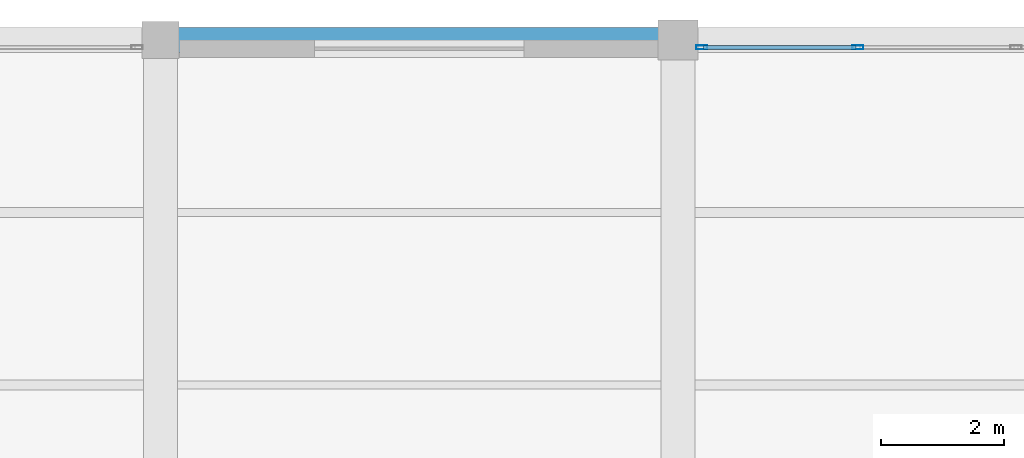
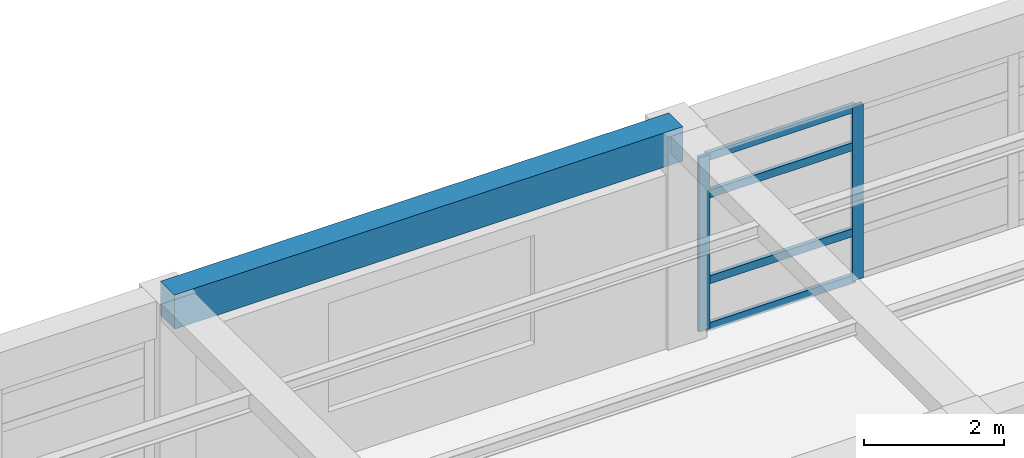
# One storey, part 20 of 26: 6 members, 1 beam, 1 element without a shape of its own.
"""IFC4 building model written with IfcOpenShell, lengths in metres."""

import ifcopenshell
import ifcopenshell.guid

model = None  # the IFC model being written
_history = None  # IfcOwnerHistory: only IFC2X3 demands one
_inside = {}  # id of a spatial element -> (the spatial element, [elements in it])
_under = {}  # id of a project, library or spatial element -> (it, [spatial elements below it])
_declared = {}  # id of a project -> (the project, [libraries it declares])
_typed = {}  # id of a type object -> (the type object, [elements of that type])
_made_of = {}  # id of a material, layer set ... -> (it, [elements and type objects made of it])


def new_model(schema):
    """Start an empty IFC model of exactly this schema.

    Asked for "IFC4X3", IfcOpenShell would pick the latest addendum, in which some entities
    have other attributes; the version numbers below select the first issue.
    IFC2X3 requires an IfcOwnerHistory on every rooted entity: one is made here for all.
    """
    global model, _history
    if schema == "IFC4X3":
        model = ifcopenshell.file(schema_version=(4, 3, 0, 0))
    else:
        model = ifcopenshell.file(schema=schema)
    _inside.clear()
    _under.clear()
    _declared.clear()
    _typed.clear()
    _made_of.clear()
    _history = None
    if model.schema == "IFC2X3":
        org = make("IfcOrganization", Name="unknown")
        user = make(
            "IfcPersonAndOrganization",
            ThePerson=make("IfcPerson", FamilyName="unknown"),
            TheOrganization=org,
        )
        app = make(
            "IfcApplication",
            ApplicationDeveloper=org,
            Version="unknown",
            ApplicationFullName="unknown",
            ApplicationIdentifier="unknown",
        )
        _history = make(
            "IfcOwnerHistory",
            OwningUser=user,
            OwningApplication=app,
            ChangeAction="ADDED",
            CreationDate=0,
        )
    return model


def make(cls, **values):
    """One entity of the class cls with the attributes given. An attribute that is None is left unset."""
    return model.create_entity(
        cls, **{name: value for name, value in values.items() if value is not None}
    )


def rooted(cls, **values):
    """An entity with a GlobalId (a new one), such as an element, a storey or a relation."""
    return make(cls, GlobalId=ifcopenshell.guid.new(), OwnerHistory=_history, **values)


def si_unit(unit_type, name, prefix=None):
    """IfcSIUnit, for example si_unit("LENGTHUNIT", "METRE", prefix="MILLI")."""
    return make("IfcSIUnit", UnitType=unit_type, Prefix=prefix, Name=name)


def assignment(units):
    """IfcUnitAssignment: the units of a project."""
    return None if units is None else make("IfcUnitAssignment", Units=units)


def point(xyz):
    """IfcCartesianPoint."""
    return None if xyz is None else make("IfcCartesianPoint", Coordinates=xyz)


def direction(xyz):
    """IfcDirection."""
    return None if xyz is None else make("IfcDirection", DirectionRatios=xyz)


def frame(location, z_axis=None, x_axis=None):
    """IfcAxis2Placement3D, a coordinate frame: its origin and axes. An axis left out is left unset."""
    return make(
        "IfcAxis2Placement3D",
        Location=point(location),
        Axis=direction(z_axis),
        RefDirection=direction(x_axis),
    )


def frame_2d(location, x_axis=None):
    """IfcAxis2Placement2D, a coordinate frame in the plane: its origin and x axis."""
    return make(
        "IfcAxis2Placement2D", Location=point(location), RefDirection=direction(x_axis)
    )


def origin():
    """The frame at (0, 0, 0) with its axes left unset."""
    return frame((0.0, 0.0, 0.0))


def origin_2d():
    """The frame at (0, 0) in the plane with its x axis left unset."""
    return frame_2d((0.0, 0.0))


def place(relative_to, where):
    """IfcLocalPlacement: puts the frame where relative to a parent placement (None: the world)."""
    return make(
        "IfcLocalPlacement", PlacementRelTo=relative_to, RelativePlacement=where
    )


def context(
    kind, dimensions, precision=None, world=None, true_north=None, identifier=None
):
    """IfcGeometricRepresentationContext, for example the 3D "Model" context."""
    return make(
        "IfcGeometricRepresentationContext",
        ContextIdentifier=identifier,
        ContextType=kind,
        CoordinateSpaceDimension=dimensions,
        Precision=precision,
        WorldCoordinateSystem=world,
        TrueNorth=true_north,
    )


def subcontext(parent, identifier, kind, view, scale=None):
    """IfcGeometricRepresentationSubContext, for example "Body" below "Model"."""
    return make(
        "IfcGeometricRepresentationSubContext",
        ContextIdentifier=identifier,
        ContextType=kind,
        ParentContext=parent,
        TargetScale=scale,
        TargetView=view,
    )


def project(units=None, contexts=None):
    """IfcProject with its units and contexts."""
    return rooted(
        "IfcProject",
        Name="project",
        RepresentationContexts=contexts,
        UnitsInContext=assignment(units),
    )


def spatial(cls, under=None, at=None, **own):
    """A site, building, storey or space (cls), placed at a placement, below another one or the project."""
    s = rooted(cls, ObjectPlacement=at, **own)
    if under is not None:
        _under.setdefault(under.id(), (under, []))[1].append(s)
    return s


def profile(cls, at=None, kind="AREA", **sizes):
    """A parametric profile (cls). Its sizes go by their IFC names, for example OverallWidth=200.0."""
    return make(cls, ProfileType=kind, Position=at, **sizes)


def rectangle(**sizes):
    """IfcRectangleProfileDef."""
    return profile("IfcRectangleProfileDef", **sizes)


def hollow_rectangle(**sizes):
    """IfcRectangleHollowProfileDef."""
    return profile("IfcRectangleHollowProfileDef", **sizes)


def extrude(swept, where, along, depth):
    """IfcExtrudedAreaSolid: the profile swept, set in the frame where, extruded along a direction by depth."""
    return make(
        "IfcExtrudedAreaSolid",
        SweptArea=swept,
        Position=where,
        ExtrudedDirection=direction(along),
        Depth=depth,
    )


def shape(context_of_items, identifier, shape_type, items):
    """IfcShapeRepresentation: the items that make up one representation, for example the "Body"."""
    return make(
        "IfcShapeRepresentation",
        ContextOfItems=context_of_items,
        RepresentationIdentifier=identifier,
        RepresentationType=shape_type,
        Items=items,
    )


def material(Name=None, Category=None):
    """IfcMaterial."""
    return make("IfcMaterial", Name=Name, Category=Category)


def material_profile(
    of_material, cross_section, Name=None, Category=None, Priority=None
):
    """IfcMaterialProfile: a cross section and its material."""
    return make(
        "IfcMaterialProfile",
        Name=Name,
        Material=of_material,
        Profile=cross_section,
        Priority=Priority,
        Category=Category,
    )


def profile_set(profiles, Name=None, composite=None):
    """IfcMaterialProfileSet."""
    return make(
        "IfcMaterialProfileSet",
        Name=Name,
        MaterialProfiles=profiles,
        CompositeProfile=composite,
    )


def made_of(thing, what):
    """Note that an element or type object is made of a material, layer set ...; save() writes the relation."""
    if what is not None:
        _made_of.setdefault(what.id(), (what, []))[1].append(thing)
    return thing


def type_object(cls, material=None, **own):
    """A type object (cls), such as IfcWallType, which elements share."""
    return made_of(rooted(cls, **own), material)


def element(
    cls,
    number,
    at=None,
    inside=None,
    cuts=None,
    type_object=None,
    material=None,
    context=None,
    identifier="Body",
    shape_type=None,
    held_by="IfcProductDefinitionShape",
    body=None,
    shapes=None,
    **own,
):
    """One element of the class cls, such as IfcWall. Its Tag is "e" and its number.

    at: its placement. inside: the storey or other place that contains it. cuts: it is an
    opening in that element (IfcRelVoidsElement). A single representation is given by context,
    identifier, shape_type and body (its items); several are given by shapes. held_by: the class
    of the entity that holds the representations. save() writes the other relations.
    """
    e = rooted(cls, Tag="e%d" % number, ObjectPlacement=at, **own)
    if body is not None:
        shapes = [shape(context, identifier, shape_type, body)]
    if shapes is not None:
        e.Representation = make(held_by, Representations=shapes)
    if inside is not None:
        _inside.setdefault(inside.id(), (inside, []))[1].append(e)
    if cuts is not None:
        rooted(
            "IfcRelVoidsElement", RelatingBuildingElement=cuts, RelatedOpeningElement=e
        )
    if type_object is not None:
        _typed.setdefault(type_object.id(), (type_object, []))[1].append(e)
    return made_of(e, material)


def aggregate(whole, parts):
    """IfcRelAggregates: a whole, such as a stair, and the parts it consists of."""
    return rooted("IfcRelAggregates", RelatingObject=whole, RelatedObjects=parts)


def save(model, path):
    """Write the relations noted so far, then the file.

    IfcRelAggregates (storeys below a building ...), IfcRelContainedInSpatialStructure (elements
    in a storey), IfcRelDefinesByType, IfcRelAssociatesMaterial and IfcRelDeclares: one each for
    every whole, place, type object, material and project.
    """
    for whole, parts in _under.values():
        aggregate(whole, parts)
    for where, things in _inside.values():
        rooted(
            "IfcRelContainedInSpatialStructure",
            RelatedElements=things,
            RelatingStructure=where,
        )
    for kind, things in _typed.values():
        rooted("IfcRelDefinesByType", RelatedObjects=things, RelatingType=kind)
    for what, things in _made_of.values():
        rooted("IfcRelAssociatesMaterial", RelatedObjects=things, RelatingMaterial=what)
    for by, libraries in _declared.values():
        rooted("IfcRelDeclares", RelatingContext=by, RelatedDefinitions=libraries)
    model.write(path)


model = new_model("IFC4")

# Units and contexts
model_context = context("Model", 3, precision=1e-05, world=origin(), true_north=direction((0.0, 1.0)))
body_context = subcontext(model_context, "Body", "Model", "MODEL_VIEW")
ifc_project = project(units=[si_unit("LENGTHUNIT", "METRE"), si_unit("AREAUNIT", "SQUARE_METRE"), si_unit("VOLUMEUNIT", "CUBIC_METRE"), si_unit("PLANEANGLEUNIT", "RADIAN"), si_unit("MASSUNIT", "GRAM", prefix="KILO")], contexts=[model_context])

# Site, building, storey
site_placement = place(None, origin())
site = spatial("IfcSite", under=ifc_project, at=site_placement, CompositionType="ELEMENT")
building_placement = place(site_placement, origin())
building = spatial("IfcBuilding", under=site, at=building_placement, Name="Almacenes y Pasaje Nevantli", CompositionType="ELEMENT")
storey_placement = place(building_placement, frame((0.0, 0.0, 54.699951171875)))
storey = spatial("IfcBuildingStorey", under=building, at=storey_placement, Name="L13", CompositionType="ELEMENT", Elevation=54.699951171875)

# Beam
ifc_material_1 = material(Name="Concrete C35/45", Category="concrete")
ifc_material_profile_1 = material_profile(ifc_material_1, rectangle(XDim=0.39990234375, YDim=0.60009765625, at=origin_2d()), Name="RC-BM-400x600")
ifc_profile_set_1 = profile_set([ifc_material_profile_1], Name="Concrete C35/45")
beam_type = type_object("IfcBeamType", Name="BM-RC-400x600", PredefinedType="SPANDREL", material=ifc_profile_set_1)
beam_placement = place(storey_placement, frame((142.800048828125, 100.800048828125, 3.420166015625), z_axis=(1.0, 0.0, 0.0), x_axis=(0.0, 1.0, 0.0)))
element("IfcBeam", 1, at=beam_placement, inside=storey, type_object=beam_type, Name="L13 East-West Reinforced Concrete Beam #3961", PredefinedType="SPANDREL", context=body_context, shape_type="SweptSolid", body=[
    extrude(rectangle(XDim=0.39990234375, YDim=0.60009765625, at=origin_2d()), origin(), (0.0, 0.0, 1.0), 8.39990234375),
])

# Curtain wall, members
ifc_material_2 = material(Name="Thermally Broken Aluminium and Low-E Glass", Category="aluminium")
curtain_wall_type = type_object("IfcCurtainWallType", Name="CW-UNIT-TOWER", PredefinedType="USERDEFINED", material=ifc_material_2)
curtain_wall_placement = place(storey_placement, origin())
curtain_wall = element("IfcCurtainWall", 2, at=curtain_wall_placement, inside=storey, type_object=curtain_wall_type, Name="L13 Tower North Boulevard Unitized Curtain Wall Bay 19", ObjectType="UNITIZED CURTAIN WALL", PredefinedType="USERDEFINED")
ifc_material_3 = material(Name="Thermally Broken Anodized Aluminium", Category="aluminium")
ifc_material_profile_2 = material_profile(ifc_material_3, hollow_rectangle(XDim=0.06494140625, YDim=0.179931640625, WallThickness=0.00390625, at=origin_2d()), Name="ALU-MUL-65x180")
ifc_profile_set_2 = profile_set([ifc_material_profile_2], Name="Thermally Broken Anodized Aluminium")
member_type_1 = type_object("IfcMemberType", Name="CW-MUL-200", PredefinedType="MULLION", material=ifc_profile_set_2)
member_1_placement = place(storey_placement, frame((151.58251953125, 100.679931640625, 0.0), z_axis=(0.0, 0.0, 1.0), x_axis=(0.0, 1.0, 0.0)))
member_1 = element("IfcMember", 3, at=member_1_placement, type_object=member_type_1, Name="CW-L13-172 mullion 1", PredefinedType="MULLION", context=body_context, shape_type="SweptSolid", body=[
    extrude(hollow_rectangle(XDim=0.06494140625, YDim=0.179931640625, WallThickness=0.00390625, at=origin_2d()), origin(), (0.0, 0.0, 1.0), 3.0400390625),
])
member_2_placement = place(storey_placement, frame((154.11669921875, 100.679931640625, 0.0), z_axis=(0.0, 0.0, 1.0), x_axis=(0.0, 1.0, 0.0)))
member_2 = element("IfcMember", 4, at=member_2_placement, type_object=member_type_1, Name="CW-L13-172 mullion 2", PredefinedType="MULLION", context=body_context, shape_type="SweptSolid", body=[
    extrude(hollow_rectangle(XDim=0.06494140625, YDim=0.179931640625, WallThickness=0.00390625, at=origin_2d()), origin(), (0.0, 0.0, 1.0), 3.0400390625),
])
ifc_material_4 = material(Name="Thermally Broken Anodized Aluminium", Category="aluminium")
ifc_material_profile_3 = material_profile(ifc_material_4, hollow_rectangle(XDim=0.06494140625, YDim=0.139892578125, WallThickness=0.00390625, at=origin_2d()), Name="ALU-TRN-65x140")
ifc_profile_set_3 = profile_set([ifc_material_profile_3], Name="Thermally Broken Anodized Aluminium")
member_type_2 = type_object("IfcMemberType", Name="CW-TRN-150", PredefinedType="USERDEFINED", material=ifc_profile_set_3)
member_3_placement = place(storey_placement, frame((151.614990234375, 100.679931640625, 0.032470703125), z_axis=(1.0, 0.0, 0.0), x_axis=(0.0, 1.0, 0.0)))
member_3 = element("IfcMember", 5, at=member_3_placement, type_object=member_type_2, Name="CW-L13-172 transom 1.1", ObjectType="TRANSOM", PredefinedType="USERDEFINED", context=body_context, shape_type="SweptSolid", body=[
    extrude(hollow_rectangle(XDim=0.06494140625, YDim=0.139892578125, WallThickness=0.00390625, at=origin_2d()), origin(), (0.0, 0.0, 1.0), 2.46923828125),
])
member_4_placement = place(storey_placement, frame((151.614990234375, 100.679931640625, 0.85009765625), z_axis=(1.0, 0.0, 0.0), x_axis=(0.0, 1.0, 0.0)))
member_4 = element("IfcMember", 6, at=member_4_placement, type_object=member_type_2, Name="CW-L13-172 transom 1.2", ObjectType="TRANSOM", PredefinedType="USERDEFINED", context=body_context, shape_type="SweptSolid", body=[
    extrude(hollow_rectangle(XDim=0.06494140625, YDim=0.139892578125, WallThickness=0.00390625, at=origin_2d()), origin(), (0.0, 0.0, 1.0), 2.46923828125),
])
member_5_placement = place(storey_placement, frame((151.614990234375, 100.679931640625, 2.35009765625), z_axis=(1.0, 0.0, 0.0), x_axis=(0.0, 1.0, 0.0)))
member_5 = element("IfcMember", 7, at=member_5_placement, type_object=member_type_2, Name="CW-L13-172 transom 1.3", ObjectType="TRANSOM", PredefinedType="USERDEFINED", context=body_context, shape_type="SweptSolid", body=[
    extrude(hollow_rectangle(XDim=0.06494140625, YDim=0.139892578125, WallThickness=0.00390625, at=origin_2d()), origin(), (0.0, 0.0, 1.0), 2.46923828125),
])
member_6_placement = place(storey_placement, frame((151.614990234375, 100.679931640625, 3.007568359375), z_axis=(1.0, 0.0, 0.0), x_axis=(0.0, 1.0, 0.0)))
member_6 = element("IfcMember", 8, at=member_6_placement, type_object=member_type_2, Name="CW-L13-172 transom 1.4", ObjectType="TRANSOM", PredefinedType="USERDEFINED", context=body_context, shape_type="SweptSolid", body=[
    extrude(hollow_rectangle(XDim=0.06494140625, YDim=0.139892578125, WallThickness=0.00390625, at=origin_2d()), origin(), (0.0, 0.0, 1.0), 2.46923828125),
])
aggregate(curtain_wall, [member_1, member_2, member_3, member_4, member_5, member_6])

save(model, "model.ifc")
